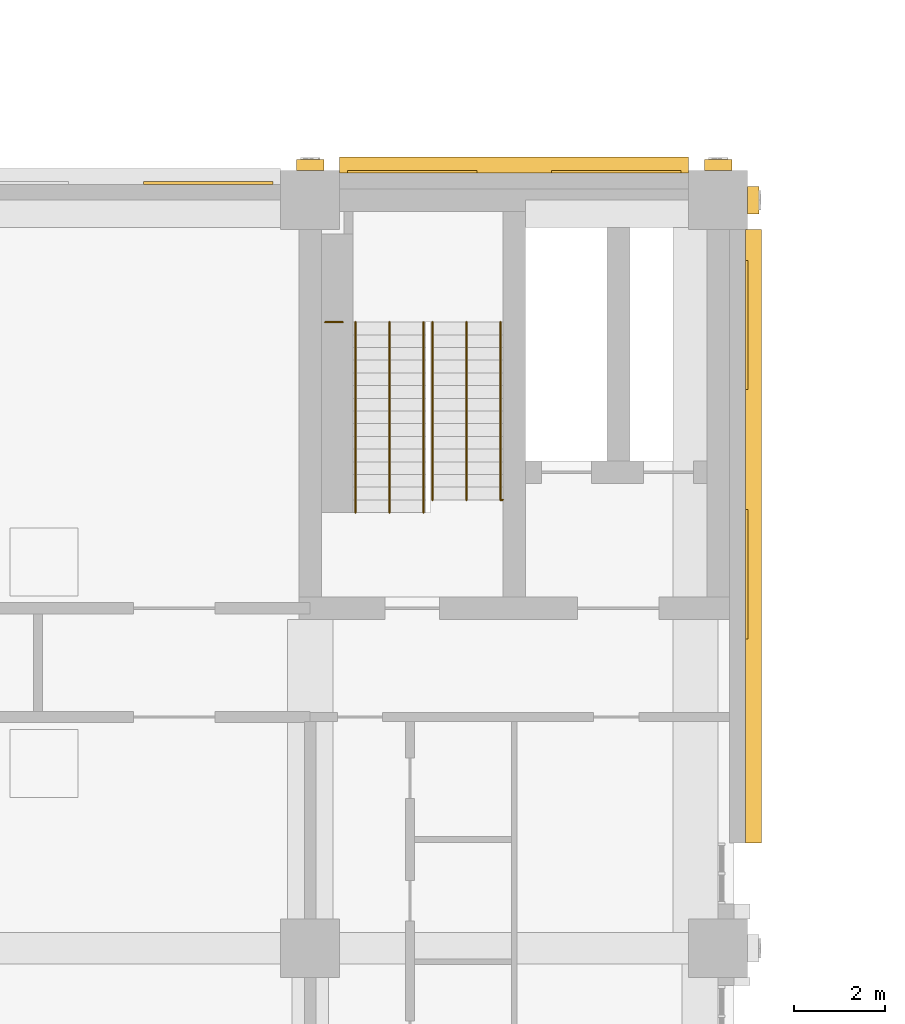
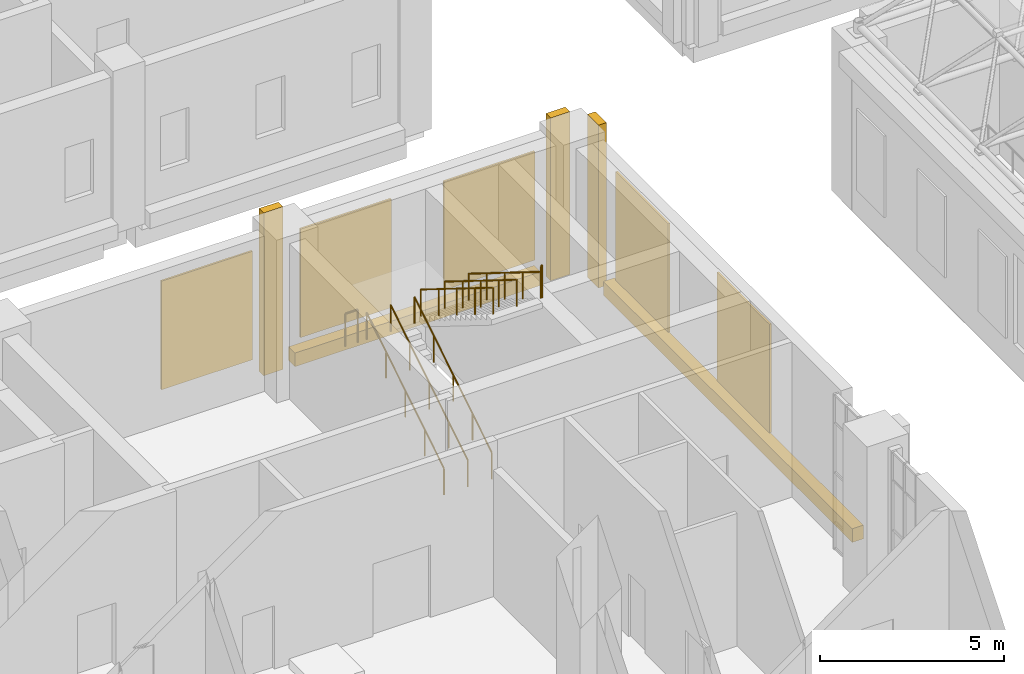
# One storey, part 41 of 53: 10 coverings, 8 railings.
"""IFC4 building model written with IfcOpenShell, lengths in metres."""

from ifc_helpers import new_model, si_unit, direction, frame, origin, origin_2d, place, context, subcontext, project, spatial, rectangle, circle, extrude, material, layer, layer_set, type_object, element, save


model = new_model("IFC4")

# Units and contexts
model_context = context("Model", 3, precision=1e-05, world=origin(), true_north=direction((0.0, 1.0)))
body_context = subcontext(model_context, "Body", "Model", "MODEL_VIEW")
ifc_project = project(units=[si_unit("LENGTHUNIT", "METRE"), si_unit("AREAUNIT", "SQUARE_METRE"), si_unit("VOLUMEUNIT", "CUBIC_METRE"), si_unit("PLANEANGLEUNIT", "RADIAN"), si_unit("MASSUNIT", "GRAM", prefix="KILO")], contexts=[model_context])

# Site, building, storey
site_placement = place(None, origin())
site = spatial("IfcSite", under=ifc_project, at=site_placement, CompositionType="ELEMENT")
building_placement = place(site_placement, origin())
building = spatial("IfcBuilding", under=site, at=building_placement, Name="Aurelan Courthouse", CompositionType="ELEMENT")
storey_placement = place(building_placement, frame((0.0, 0.0, 12.0)))
storey = spatial("IfcBuildingStorey", under=building, at=storey_placement, Name="L02", CompositionType="ELEMENT", Elevation=12.0)

# Coverings
ifc_material_1 = material(Name="Bronze sheet cladding")
ifc_layer = layer(ifc_material_1, 0.06005859375)
ifc_layer_set = layer_set([ifc_layer], Name="Bronze sheet cladding")
covering_type_1 = type_object("IfcCoveringType", Name="Courts' Floors blind bay 2850 x 3600", PredefinedType="CLADDING", material=ifc_layer_set)
for number, where, z_axis, x_axis, name in (
    (1, (15.75, 28.8798828125, 0.89990234375), (0.0, 0.0, 1.0), (1.0, 0.0, 0.0), "Blind bay BB-V5-L02-006"),
    (2, (20.25, 29.1298828125, 0.89990234375), (0.0, 0.0, 1.0), (1.0, 0.0, 0.0), "Blind bay BB-V5-L02-007"),
    (3, (24.75, 29.1298828125, 0.89990234375), (0.0, 0.0, 1.0), (1.0, 0.0, 0.0), "Blind bay BB-V5-L02-008"),
):
    element("IfcCovering", number, at=place(storey_placement, frame(where, z_axis=z_axis, x_axis=x_axis)), inside=storey, type_object=covering_type_1, Name=name, PredefinedType="CLADDING", context=body_context, shape_type="SweptSolid", body=[
        extrude(rectangle(XDim=2.85009765625, YDim=0.06005859375, at=origin_2d()), origin(), (0.0, 0.0, 1.0), 3.60009765625),
    ])
for number, where, z_axis, x_axis, name in (
    (4, (27.6298828125, 20.25, 0.89990234375), (0.0, 0.0, 1.0), (1.0, 0.0, 0.0), "Blind bay BB-V5-L02-009"),
    (5, (27.6298828125, 25.75, 0.89990234375), (0.0, 0.0, 1.0), (1.0, 0.0, 0.0), "Blind bay BB-V5-L02-010"),
):
    element("IfcCovering", number, at=place(storey_placement, frame(where, z_axis=z_axis, x_axis=x_axis)), inside=storey, type_object=covering_type_1, Name=name, PredefinedType="CLADDING", context=body_context, shape_type="SweptSolid", body=[
        extrude(rectangle(XDim=0.06005859375, YDim=2.85009765625, at=origin_2d()), origin(), (0.0, 0.0, 1.0), 3.60009765625),
    ])
ifc_material_2 = material(Name="Limestone cladding", Category="masonry")
covering_type_2 = type_object("IfcCoveringType", Name="Courts' Floors pilaster fin 600 x 250", PredefinedType="CLADDING", material=ifc_material_2)
for number, where, z_axis, x_axis, name in (
    (6, (18.0, 29.27490234375, 0.0), (0.0, 0.0, 1.0), (1.0, 0.0, 0.0), "Pilaster fin FN-V5-007"),
    (7, (27.0, 29.27490234375, 0.0), (0.0, 0.0, 1.0), (1.0, 0.0, 0.0), "Pilaster fin FN-V5-008"),
):
    element("IfcCovering", number, at=place(storey_placement, frame(where, z_axis=z_axis, x_axis=x_axis)), inside=storey, type_object=covering_type_2, Name=name, PredefinedType="CLADDING", context=body_context, shape_type="SweptSolid", body=[
        extrude(rectangle(XDim=0.60009765625, YDim=0.25, at=origin_2d()), origin(), (0.0, 0.0, 1.0), 5.39990234375),
    ])
covering_1_placement = place(storey_placement, frame((27.77490234375, 28.5, 0.0), z_axis=(0.0, 0.0, 1.0), x_axis=(1.0, 0.0, 0.0)))
element("IfcCovering", 8, at=covering_1_placement, inside=storey, type_object=covering_type_2, Name="Pilaster fin FN-V5-011", PredefinedType="CLADDING", context=body_context, shape_type="SweptSolid", body=[
    extrude(rectangle(XDim=0.25, YDim=0.60009765625, at=origin_2d()), origin(), (0.0, 0.0, 1.0), 5.39990234375),
])
covering_type_3 = type_object("IfcCoveringType", Name="Courts' Floors string course 450 x 350", PredefinedType="CLADDING", material=ifc_material_2)
covering_2_placement = place(storey_placement, frame((27.77490234375, 21.08740234375, 0.0), z_axis=(0.0, 0.0, 1.0), x_axis=(1.0, 0.0, 0.0)))
element("IfcCovering", 9, at=covering_2_placement, inside=storey, type_object=covering_type_3, Name="String course SC-V5-021", PredefinedType="CLADDING", context=body_context, shape_type="SweptSolid", body=[
    extrude(rectangle(XDim=0.35009765625, YDim=13.52490234375, at=origin_2d()), origin(), (0.0, 0.0, 1.0), 0.449951171875),
])
covering_3_placement = place(storey_placement, frame((22.5, 29.27490234375, 0.0), z_axis=(0.0, 0.0, 1.0), x_axis=(1.0, 0.0, 0.0)))
element("IfcCovering", 10, at=covering_3_placement, inside=storey, type_object=covering_type_3, Name="String course SC-V5-024", PredefinedType="CLADDING", context=body_context, shape_type="SweptSolid", body=[
    extrude(rectangle(XDim=7.699951171875, YDim=0.35009765625, at=origin_2d()), origin(), (0.0, 0.0, 1.0), 0.449951171875),
])

# Railings
ifc_material_3 = material(Name="Steel S355", Category="steel")
railing_type_1 = type_object("IfcRailingType", Name="Stair guard 1100", PredefinedType="GUARDRAIL", material=ifc_material_3)
railing_1_placement = place(storey_placement, frame((22.199951171875, 21.889892578125, 5.39990234375)))
element("IfcRailing", 11, at=railing_1_placement, inside=storey, type_object=railing_type_1, Name="Guard ST-5A-L02-H5-C", PredefinedType="GUARDRAIL", context=body_context, shape_type="SweptSolid", body=[
    extrude(circle(Radius=0.02392578125, at=origin_2d()), frame((0.0, 0.0, 1.076171875), z_axis=(1.0, 0.0, 0.0), x_axis=(0.0, 1.0, 0.0)), (0.0, 0.0, 1.0), 0.050048828125),
    extrude(circle(Radius=0.02099609375, at=origin_2d()), origin(), (0.0, 0.0, 1.0), 1.052001953125),
    extrude(circle(Radius=0.02099609375, at=origin_2d()), frame((0.050048828125, 0.0, 0.0)), (0.0, 0.0, 1.0), 1.052001953125),
])
railing_2_placement = place(storey_placement, frame((18.719970703125, 25.81005859375, 2.787109375)))
element("IfcRailing", 12, at=railing_2_placement, inside=storey, type_object=railing_type_1, Name="Guard ST-5A-L02-GL1", PredefinedType="GUARDRAIL", context=body_context, shape_type="SweptSolid", body=[
    extrude(circle(Radius=0.02392578125, at=origin_2d()), frame((0.0, 0.0, 1.076171875), z_axis=(-1.0, 0.0, 0.0), x_axis=(0.0, -1.0, 0.0)), (0.0, 0.0, 1.0), 0.389892578125),
    extrude(circle(Radius=0.02099609375, at=origin_2d()), origin(), (0.0, 0.0, 1.0), 1.052001953125),
    extrude(circle(Radius=0.02099609375, at=origin_2d()), frame((-0.389892578125, 0.0, 0.0)), (0.0, 0.0, 1.0), 1.052001953125),
])
railing_type_2 = type_object("IfcRailingType", Name="Stair handrail 900", PredefinedType="HANDRAIL", material=ifc_material_3)
for number, where, name in (
    (13, (19.0, 21.610107421875, 0.17431640625), "Handrail ST-5A-L02-H1"),
    (14, (20.5, 21.610107421875, 0.17431640625), "Handrail ST-5A-L02-H2"),
    (15, (19.75, 21.610107421875, 0.17431640625), "Handrail ST-5A-L02-H3"),
):
    element("IfcRailing", number, at=place(storey_placement, frame(where)), inside=storey, type_object=railing_type_2, Name=name, PredefinedType="HANDRAIL", context=body_context, shape_type="SweptSolid", body=[
        extrude(circle(Radius=0.02392578125, at=origin_2d()), frame((0.0, 0.0, 0.8759765625), z_axis=(0.0, 0.849102848233, 0.528227558088), x_axis=(-1.0, 0.0, 0.0)), (0.0, 0.0, 1.0), 4.9462890625),
        extrude(circle(Radius=0.02099609375, at=origin_2d()), origin(), (0.0, 0.0, 1.0), 0.851806640625),
        extrude(circle(Radius=0.02099609375, at=origin_2d()), frame((0.0, 1.050048828125, 0.6533203125)), (0.0, 0.0, 1.0), 0.851806640625),
        extrude(circle(Radius=0.02099609375, at=origin_2d()), frame((0.0, 2.10009765625, 1.306396484375)), (0.0, 0.0, 1.0), 0.851806640625),
        extrude(circle(Radius=0.02099609375, at=origin_2d()), frame((0.0, 3.14990234375, 1.95947265625)), (0.0, 0.0, 1.0), 0.851806640625),
        extrude(circle(Radius=0.02099609375, at=origin_2d()), frame((0.0, 4.199951171875, 2.61279296875)), (0.0, 0.0, 1.0), 0.851806640625),
    ])
for number, where, name in (
    (16, (20.699951171875, 25.81005859375, 2.961181640625), "Handrail ST-5A-L02-H4"),
    (17, (22.199951171875, 25.81005859375, 2.961181640625), "Handrail ST-5A-L02-H5"),
    (18, (21.449951171875, 25.81005859375, 2.961181640625), "Handrail ST-5A-L02-H6"),
):
    element("IfcRailing", number, at=place(storey_placement, frame(where)), inside=storey, type_object=railing_type_2, Name=name, PredefinedType="HANDRAIL", context=body_context, shape_type="SweptSolid", body=[
        extrude(circle(Radius=0.02392578125, at=origin_2d()), frame((0.0, 0.0, 0.8759765625), z_axis=(0.0, -0.849104567483, 0.528224794457), x_axis=(1.0, 0.0, 0.0)), (0.0, 0.0, 1.0), 4.616943359375),
        extrude(circle(Radius=0.02099609375, at=origin_2d()), origin(), (0.0, 0.0, 1.0), 0.851806640625),
        extrude(circle(Radius=0.02099609375, at=origin_2d()), frame((0.0, -0.97998046875, 0.609619140625)), (0.0, 0.0, 1.0), 0.851806640625),
        extrude(circle(Radius=0.02099609375, at=origin_2d()), frame((0.0, -1.9599609375, 1.21923828125)), (0.0, 0.0, 1.0), 0.851806640625),
        extrude(circle(Radius=0.02099609375, at=origin_2d()), frame((0.0, -2.940185546875, 1.8291015625)), (0.0, 0.0, 1.0), 0.851806640625),
        extrude(circle(Radius=0.02099609375, at=origin_2d()), frame((0.0, -3.920166015625, 2.438720703125)), (0.0, 0.0, 1.0), 0.851806640625),
    ])

save(model, "model.ifc")
